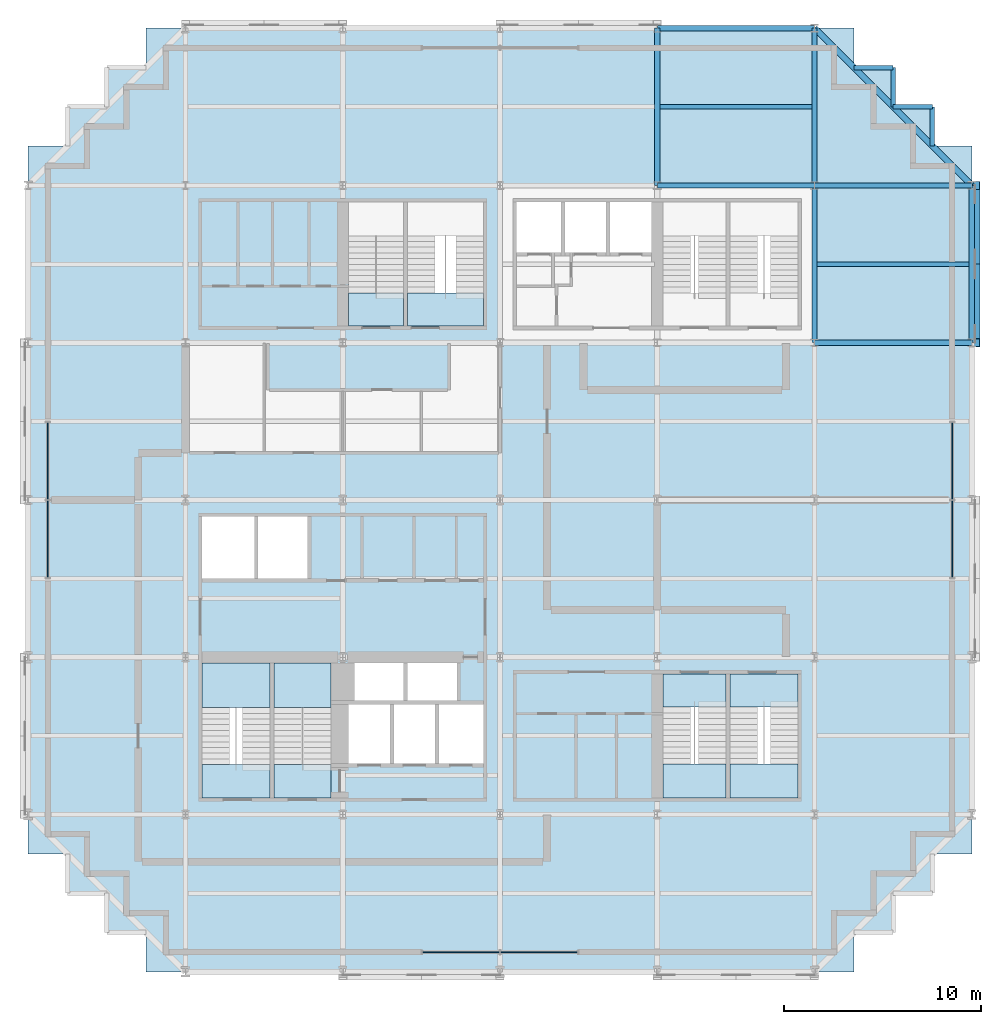
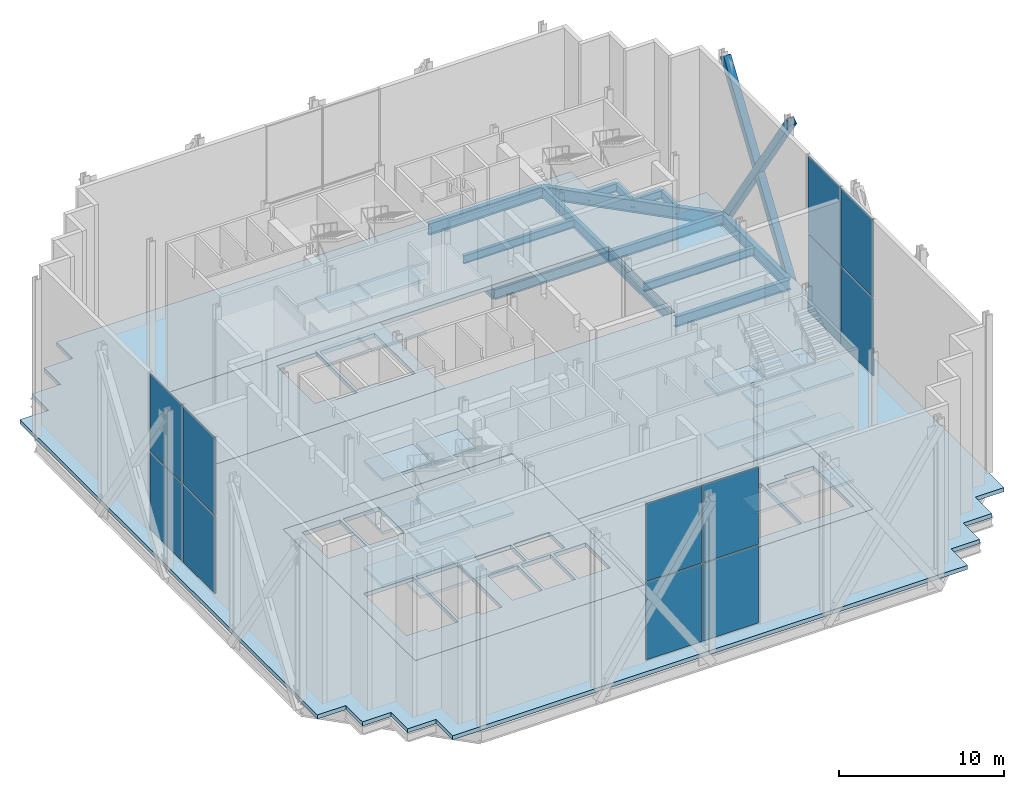
# One storey, part 6 of 14: 28 slabs, 15 beams, 12 plates, 2 members, 9 elements without a shape of their own.
"""IFC4 building model written with IfcOpenShell, lengths in metres."""

from ifc_helpers import new_model, si_unit, direction, frame, origin, origin_2d, place, context, subcontext, project, spatial, polyline, rectangle, hollow_rectangle, i_section, outline, extrude, material, layer, layer_set, material_profile, profile_set, type_object, element, aggregate, save


model = new_model("IFC4")

# Units and contexts
model_context = context("Model", 3, precision=1e-05, world=origin(), true_north=direction((0.0, 1.0)))
body_context = subcontext(model_context, "Body", "Model", "MODEL_VIEW")
ifc_project = project(units=[si_unit("LENGTHUNIT", "METRE"), si_unit("AREAUNIT", "SQUARE_METRE"), si_unit("VOLUMEUNIT", "CUBIC_METRE"), si_unit("PLANEANGLEUNIT", "RADIAN"), si_unit("MASSUNIT", "GRAM", prefix="KILO")], contexts=[model_context])

# Site, building, storey
site_placement = place(None, origin())
site = spatial("IfcSite", under=ifc_project, at=site_placement, CompositionType="ELEMENT")
building_placement = place(site_placement, origin())
building = spatial("IfcBuilding", under=site, at=building_placement, Name="Immortelle Media Tower", CompositionType="ELEMENT")
storey_placement = place(building_placement, frame((0.0, 0.0, 9.0)))
storey = spatial("IfcBuildingStorey", under=building, at=storey_placement, Name="L01", CompositionType="ELEMENT", Elevation=9.0)

# Members
ifc_material_1 = material(Name="Steel ASTM A500 Gr C", Category="steel")
ifc_material_profile_1 = material_profile(ifc_material_1, hollow_rectangle(XDim=0.508056640625, YDim=0.508056640625, WallThickness=0.014892578125, at=origin_2d()), Name="HSS20x20x5/8 brace")
ifc_profile_set_1 = profile_set([ifc_material_profile_1], Name="Steel ASTM A500 Gr C")
member_type = type_object("IfcMemberType", Name="HSS20x20x5/8 brace", PredefinedType="BRACE", material=ifc_profile_set_1)
for number, where, z_axis, x_axis, name in (
    (1, (48.1640625, 32.0, -0.7294921875), (0.0, 0.554700196225, 0.832050294338), (-1.0, 0.0, 0.0), "Brace 7/E-F A"),
    (2, (48.1640625, 32.0, 11.2705078125), (0.0, 0.554700196225, -0.832050294338), (-1.0, 0.0, 0.0), "Brace 7/E-F B"),
):
    element("IfcMember", number, at=place(storey_placement, frame(where, z_axis=z_axis, x_axis=x_axis)), inside=storey, type_object=member_type, Name=name, PredefinedType="BRACE", context=body_context, shape_type="SweptSolid", body=[
        extrude(hollow_rectangle(XDim=0.508056640625, YDim=0.508056640625, WallThickness=0.014892578125, at=origin_2d()), origin(), (0.0, 0.0, 1.0), 14.422119140625),
    ])

# Beams
ifc_material_2 = material(Name="Steel ASTM A992 Gr 50", Category="steel")
ifc_material_profile_2 = material_profile(ifc_material_2, i_section(OverallWidth=0.22900390625, OverallDepth=0.612060546875, WebThickness=0.011962890625, FlangeThickness=0.02001953125, at=origin_2d()), Name="W24x84")
ifc_profile_set_2 = profile_set([ifc_material_profile_2], Name="Steel ASTM A992 Gr 50")
beam_type_1 = type_object("IfcBeamType", Name="W24x84 secondary beam", PredefinedType="JOIST", material=ifc_profile_set_2)
beam_1_placement = place(storey_placement, frame((40.133544921875, 36.0, -0.60595703125), z_axis=(1.0, 0.0, 0.0), x_axis=(0.0, 1.0, 0.0)))
element("IfcBeam", 3, at=beam_1_placement, inside=storey, type_object=beam_type_1, Name="Beam E-F/6-7", PredefinedType="JOIST", context=body_context, shape_type="SweptSolid", body=[
    extrude(i_section(OverallWidth=0.22900390625, OverallDepth=0.612060546875, WebThickness=0.011962890625, FlangeThickness=0.02001953125, at=origin_2d()), origin(), (0.0, 0.0, 1.0), 7.720458984375),
])
beam_2_placement = place(storey_placement, frame((32.133544921875, 44.0, -0.60595703125), z_axis=(1.0, 0.0, 0.0), x_axis=(0.0, 1.0, 0.0)))
element("IfcBeam", 4, at=beam_2_placement, inside=storey, type_object=beam_type_1, Name="Beam F-G/5-6", PredefinedType="JOIST", context=body_context, shape_type="SweptSolid", body=[
    extrude(i_section(OverallWidth=0.22900390625, OverallDepth=0.612060546875, WebThickness=0.011962890625, FlangeThickness=0.02001953125, at=origin_2d()), origin(), (0.0, 0.0, 1.0), 7.73291015625),
])
ifc_material_profile_3 = material_profile(ifc_material_2, i_section(OverallWidth=0.22900390625, OverallDepth=0.612060546875, WebThickness=0.011962890625, FlangeThickness=0.02001953125, at=origin_2d()), Name="W24x84")
ifc_profile_set_3 = profile_set([ifc_material_profile_3], Name="Steel ASTM A992 Gr 50")
beam_type_2 = type_object("IfcBeamType", Name="W24x84 serration edge beam", PredefinedType="SPANDREL", material=ifc_profile_set_3)
for number, where, z_axis, x_axis, name in (
    (5, (42.0, 46.0, -0.60595703125), (1.0, 0.0, 0.0), (0.0, 1.0, 0.0), "Corner edge beam 1 at 7/G"),
    (6, (44.0, 46.0, -0.60595703125), (0.0, -1.0, 0.0), (1.0, 0.0, 0.0), "Corner edge beam 2 at 7/G"),
    (7, (44.0, 44.0, -0.60595703125), (1.0, 0.0, 0.0), (0.0, 1.0, 0.0), "Corner edge beam 3 at 7/G"),
    (8, (46.0, 44.0, -0.60595703125), (0.0, -1.0, 0.0), (1.0, 0.0, 0.0), "Corner edge beam 4 at 7/G"),
):
    element("IfcBeam", number, at=place(storey_placement, frame(where, z_axis=z_axis, x_axis=x_axis)), inside=storey, type_object=beam_type_2, Name=name, PredefinedType="SPANDREL", context=body_context, shape_type="SweptSolid", body=[
        extrude(i_section(OverallWidth=0.22900390625, OverallDepth=0.612060546875, WebThickness=0.011962890625, FlangeThickness=0.02001953125, at=origin_2d()), origin(), (0.0, 0.0, 1.0), 2.0),
    ])
ifc_material_profile_4 = material_profile(ifc_material_2, i_section(OverallWidth=0.26708984375, OverallDepth=0.761962890625, WebThickness=0.013916015625, FlangeThickness=0.02197265625, at=origin_2d()), Name="W30x116")
ifc_profile_set_4 = profile_set([ifc_material_profile_4], Name="Steel ASTM A992 Gr 50")
beam_type_3 = type_object("IfcBeamType", Name="W30x116 girder", PredefinedType="BEAM", material=ifc_profile_set_4)
for number, where, z_axis, x_axis, name in (
    (9, (32.0, 40.0, -0.680908203125), (1.0, 0.0, 0.0), (0.0, 1.0, 0.0), "Girder F/5-6"),
    (10, (32.0, 40.0, -0.680908203125), (0.0, 1.0, 0.0), (-1.0, 0.0, 0.0), "Girder 5/F-G"),
    (11, (40.0, 32.0, -0.680908203125), (1.0, 0.0, 0.0), (0.0, 1.0, 0.0), "Girder E/6-7"),
    (12, (40.0, 32.0, -0.680908203125), (0.0, 1.0, 0.0), (-1.0, 0.0, 0.0), "Girder 6/E-F"),
    (13, (40.0, 40.0, -0.680908203125), (1.0, 0.0, 0.0), (0.0, 1.0, 0.0), "Girder F/6-7"),
    (14, (40.0, 40.0, -0.680908203125), (0.0, 1.0, 0.0), (-1.0, 0.0, 0.0), "Girder 6/F-G"),
):
    element("IfcBeam", number, at=place(storey_placement, frame(where, z_axis=z_axis, x_axis=x_axis)), inside=storey, type_object=beam_type_3, Name=name, PredefinedType="BEAM", context=body_context, shape_type="SweptSolid", body=[
        extrude(i_section(OverallWidth=0.26708984375, OverallDepth=0.761962890625, WebThickness=0.013916015625, FlangeThickness=0.02197265625, at=origin_2d()), origin(), (0.0, 0.0, 1.0), 8.0),
    ])
ifc_material_profile_5 = material_profile(ifc_material_2, i_section(OverallWidth=0.2919921875, OverallDepth=0.85888671875, WebThickness=0.01708984375, FlangeThickness=0.031005859375, at=origin_2d()), Name="W33x169")
ifc_profile_set_5 = profile_set([ifc_material_profile_5], Name="Steel ASTM A992 Gr 50")
beam_type_4 = type_object("IfcBeamType", Name="W33x169 perimeter girder", PredefinedType="SPANDREL", material=ifc_profile_set_5)
for number, where, z_axis, x_axis, name in (
    (15, (32.0, 48.0, -0.7294921875), (1.0, 0.0, 0.0), (0.0, 1.0, 0.0), "Girder G/5-6"),
    (16, (48.0, 32.0, -0.7294921875), (0.0, 1.0, 0.0), (-1.0, 0.0, 0.0), "Girder 7/E-F"),
):
    element("IfcBeam", number, at=place(storey_placement, frame(where, z_axis=z_axis, x_axis=x_axis)), inside=storey, type_object=beam_type_4, Name=name, PredefinedType="SPANDREL", context=body_context, shape_type="SweptSolid", body=[
        extrude(i_section(OverallWidth=0.2919921875, OverallDepth=0.85888671875, WebThickness=0.01708984375, FlangeThickness=0.031005859375, at=origin_2d()), origin(), (0.0, 0.0, 1.0), 8.0),
    ])
ifc_material_profile_6 = material_profile(ifc_material_2, i_section(OverallWidth=0.306884765625, OverallDepth=0.927001953125, WebThickness=0.01904296875, FlangeThickness=0.031982421875, at=origin_2d()), Name="W36x194")
ifc_profile_set_6 = profile_set([ifc_material_profile_6], Name="Steel ASTM A992 Gr 50")
beam_type_5 = type_object("IfcBeamType", Name="W36x194 corner girder", PredefinedType="SPANDREL", material=ifc_profile_set_6)
beam_3_placement = place(storey_placement, frame((40.0, 48.0, -0.763427734375), z_axis=(0.707106781187, -0.707106781187, 0.0), x_axis=(0.707106781187, 0.707106781187, 0.0)))
element("IfcBeam", 17, at=beam_3_placement, inside=storey, type_object=beam_type_5, Name="Corner girder at 7/G", PredefinedType="SPANDREL", context=body_context, shape_type="SweptSolid", body=[
    extrude(i_section(OverallWidth=0.306884765625, OverallDepth=0.927001953125, WebThickness=0.01904296875, FlangeThickness=0.031982421875, at=origin_2d()), origin(), (0.0, 0.0, 1.0), 11.313720703125),
])

# Slabs
ifc_material_3 = material(Name="Concrete C50/60", Category="concrete")
ifc_layer_1 = layer(ifc_material_3, 0.300048828125)
ifc_layer_set_1 = layer_set([ifc_layer_1], Name="Concrete C50/60")
slab_type_1 = type_object("IfcSlabType", Name="Core floor slab 300", PredefinedType="FLOOR", material=ifc_layer_set_1)
slab_1_placement = place(storey_placement, frame((0.0, 0.0, -0.300048828125)))
element("IfcSlab", 18, at=slab_1_placement, inside=storey, type_object=slab_type_1, Name="Core floor SW", PredefinedType="FLOOR", context=body_context, shape_type="SweptSolid", body=[
    extrude(outline(polyline([(8.0, 8.0), (24.0, 8.0), (24.0, 24.0), (8.0, 24.0), (8.0, 8.0)]), holes=[polyline([(8.85009765625, 20.0), (11.5, 20.0), (11.5, 23.14990234375), (8.85009765625, 23.14990234375), (8.85009765625, 20.0)]), polyline([(11.699951171875, 20.0), (14.199951171875, 20.0), (14.199951171875, 23.14990234375), (11.699951171875, 23.14990234375), (11.699951171875, 20.0)]), polyline([(16.60009765625, 13.800048828125), (19.10009765625, 13.800048828125), (19.10009765625, 15.699951171875), (16.60009765625, 15.699951171875), (16.60009765625, 13.800048828125)]), polyline([(19.300048828125, 13.800048828125), (21.800048828125, 13.800048828125), (21.800048828125, 15.699951171875), (19.300048828125, 15.699951171875), (19.300048828125, 13.800048828125)]), polyline([(16.300048828125, 10.60009765625), (18.39990234375, 10.60009765625), (18.39990234375, 13.60009765625), (16.300048828125, 13.60009765625), (16.300048828125, 10.60009765625)]), polyline([(18.60009765625, 10.60009765625), (20.699951171875, 10.60009765625), (20.699951171875, 13.60009765625), (18.60009765625, 13.60009765625), (18.60009765625, 10.60009765625)]), polyline([(20.89990234375, 10.60009765625), (23.14990234375, 10.60009765625), (23.14990234375, 13.60009765625), (20.89990234375, 13.60009765625), (20.89990234375, 10.60009765625)]), polyline([(8.85009765625, 15.699951171875), (12.300048828125, 15.699951171875), (12.300048828125, 10.27001953125), (10.25, 10.27001953125), (10.25, 10.56005859375), (8.85009765625, 10.56005859375), (8.85009765625, 15.699951171875)]), polyline([(12.5, 15.699951171875), (15.39990234375, 15.699951171875), (15.39990234375, 10.27001953125), (13.89990234375, 10.27001953125), (13.89990234375, 10.56005859375), (12.5, 10.56005859375), (12.5, 15.699951171875)])]), origin(), (0.0, 0.0, 1.0), 0.300048828125),
])
slab_2_placement = place(storey_placement, frame((0.0, 0.0, -0.300048828125)))
element("IfcSlab", 19, at=slab_2_placement, inside=storey, type_object=slab_type_1, Name="Core floor SE", PredefinedType="FLOOR", context=body_context, shape_type="SweptSolid", body=[
    extrude(outline(polyline([(24.0, 8.0), (40.0, 8.0), (40.0, 16.0), (24.0, 16.0), (24.0, 8.0)]), holes=[polyline([(35.5, 13.72998046875), (35.5, 8.85009765625), (32.300048828125, 8.85009765625), (32.300048828125, 13.43994140625), (33.699951171875, 13.43994140625), (33.699951171875, 13.72998046875), (35.5, 13.72998046875)]), polyline([(39.14990234375, 13.72998046875), (39.14990234375, 8.85009765625), (35.699951171875, 8.85009765625), (35.699951171875, 13.43994140625), (37.10009765625, 13.43994140625), (37.10009765625, 13.72998046875), (39.14990234375, 13.72998046875)])]), origin(), (0.0, 0.0, 1.0), 0.300048828125),
])
slab_3_placement = place(storey_placement, frame((0.0, 0.0, -0.300048828125)))
element("IfcSlab", 20, at=slab_3_placement, inside=storey, type_object=slab_type_1, Name="Core floor NW", PredefinedType="FLOOR", context=body_context, shape_type="SweptSolid", body=[
    extrude(outline(polyline([(8.0, 32.0), (24.0, 32.0), (24.0, 40.0), (8.0, 40.0), (8.0, 32.0)]), holes=[polyline([(16.300048828125, 39.14990234375), (19.10009765625, 39.14990234375), (19.10009765625, 34.27001953125), (17.699951171875, 34.27001953125), (17.699951171875, 34.56005859375), (16.300048828125, 34.56005859375), (16.300048828125, 39.14990234375)]), polyline([(19.300048828125, 39.14990234375), (23.14990234375, 39.14990234375), (23.14990234375, 34.27001953125), (20.699951171875, 34.27001953125), (20.699951171875, 34.56005859375), (19.300048828125, 34.56005859375), (19.300048828125, 39.14990234375)])]), origin(), (0.0, 0.0, 1.0), 0.300048828125),
])
ifc_layer_2 = layer(ifc_material_3, 0.300048828125)
ifc_layer_set_2 = layer_set([ifc_layer_2], Name="Concrete C50/60")
slab_type_2 = type_object("IfcSlabType", Name="Floor slab 300", PredefinedType="FLOOR", material=ifc_layer_set_2)
slab_4_placement = place(storey_placement, frame((0.0, 0.0, -0.300048828125)))
element("IfcSlab", 21, at=slab_4_placement, inside=storey, type_object=slab_type_2, Name="Floor slab L01", PredefinedType="FLOOR", context=body_context, shape_type="SweptSolid", body=[
    extrude(outline(polyline([(0.0, 42.0), (2.0, 42.0), (2.0, 44.0), (4.0, 44.0), (4.0, 46.0), (6.0, 46.0), (6.0, 48.0), (24.0, 48.0), (42.0, 48.0), (42.0, 46.0), (44.0, 46.0), (44.0, 44.0), (46.0, 44.0), (46.0, 42.0), (48.0, 42.0), (48.0, 24.0), (48.0, 6.0), (46.0, 6.0), (46.0, 4.0), (44.0, 4.0), (44.0, 2.0), (42.0, 2.0), (42.0, 0.0), (24.0, 0.0), (6.0, 0.0), (6.0, 2.0), (4.0, 2.0), (4.0, 4.0), (2.0, 4.0), (2.0, 6.0), (0.0, 6.0), (0.0, 24.0), (0.0, 42.0)]), holes=[polyline([(40.0, 16.0), (24.0, 16.0), (24.0, 24.0), (8.0, 24.0), (8.0, 8.0), (24.0, 8.0), (40.0, 8.0), (40.0, 16.0)]), polyline([(8.0, 32.0), (24.0, 32.0), (40.0, 32.0), (40.0, 40.0), (24.0, 40.0), (8.0, 40.0), (8.0, 32.0)])]), origin(), (0.0, 0.0, 1.0), 0.300048828125),
])

# Curtain wall, plates
ifc_material_4 = material(Name="Aluminium curtain wall system", Category="aluminium")
curtain_wall_type = type_object("IfcCurtainWallType", Name="Media wall curtain wall", PredefinedType="NOTDEFINED", material=ifc_material_4)
curtain_wall_1_placement = place(storey_placement, origin())
curtain_wall_1 = element("IfcCurtainWall", 22, at=curtain_wall_1_placement, inside=storey, type_object=curtain_wall_type, Name="Media wall L01 S 7-2", PredefinedType="NOTDEFINED")
ifc_material_5 = material(Name="Light-diffusing louvre panel, pale aluminium", Category="aluminium")
ifc_layer_3 = layer(ifc_material_5, 0.06005859375)
ifc_layer_set_3 = layer_set([ifc_layer_3], Name="Light-diffusing louvre panel, pale aluminium")
plate_type = type_object("IfcPlateType", Name="Louvre and light-diffusing panel 60 mm", PredefinedType="CURTAIN_PANEL", material=ifc_layer_set_3)
plate_1_placement = place(storey_placement, frame((22.02001953125, 1.0, 0.080078125), z_axis=(0.0, 0.0, 1.0), x_axis=(1.0, 0.0, 0.0)))
plate_1 = element("IfcPlate", 23, at=plate_1_placement, type_object=plate_type, Name="CW3 panel 1.1", PredefinedType="CURTAIN_PANEL", context=body_context, shape_type="SweptSolid", body=[
    extrude(rectangle(XDim=3.8798828125, YDim=0.06005859375, at=origin_2d()), origin(), (0.0, 0.0, 1.0), 5.72998046875),
])
plate_2_placement = place(storey_placement, frame((22.02001953125, 1.0, 5.889892578125), z_axis=(0.0, 0.0, 1.0), x_axis=(1.0, 0.0, 0.0)))
plate_2 = element("IfcPlate", 24, at=plate_2_placement, type_object=plate_type, Name="CW3 panel 1.2", PredefinedType="CURTAIN_PANEL", context=body_context, shape_type="SweptSolid", body=[
    extrude(rectangle(XDim=3.8798828125, YDim=0.06005859375, at=origin_2d()), origin(), (0.0, 0.0, 1.0), 5.72998046875),
])
plate_3_placement = place(storey_placement, frame((25.97998046875, 1.0, 0.080078125), z_axis=(0.0, 0.0, 1.0), x_axis=(1.0, 0.0, 0.0)))
plate_3 = element("IfcPlate", 25, at=plate_3_placement, type_object=plate_type, Name="CW3 panel 2.1", PredefinedType="CURTAIN_PANEL", context=body_context, shape_type="SweptSolid", body=[
    extrude(rectangle(XDim=3.8798828125, YDim=0.06005859375, at=origin_2d()), origin(), (0.0, 0.0, 1.0), 5.72998046875),
])
plate_4_placement = place(storey_placement, frame((25.97998046875, 1.0, 5.889892578125), z_axis=(0.0, 0.0, 1.0), x_axis=(1.0, 0.0, 0.0)))
plate_4 = element("IfcPlate", 26, at=plate_4_placement, type_object=plate_type, Name="CW3 panel 2.2", PredefinedType="CURTAIN_PANEL", context=body_context, shape_type="SweptSolid", body=[
    extrude(rectangle(XDim=3.8798828125, YDim=0.06005859375, at=origin_2d()), origin(), (0.0, 0.0, 1.0), 5.72998046875),
])
aggregate(curtain_wall_1, [plate_1, plate_2, plate_3, plate_4])

curtain_wall_2_placement = place(storey_placement, origin())
curtain_wall_2 = element("IfcCurtainWall", 27, at=curtain_wall_2_placement, inside=storey, type_object=curtain_wall_type, Name="Media wall L01 E 14-2", PredefinedType="NOTDEFINED")
plate_5_placement = place(storey_placement, frame((47.0, 22.02001953125, 0.080078125), z_axis=(0.0, 0.0, 1.0), x_axis=(0.0, 1.0, 0.0)))
plate_5 = element("IfcPlate", 28, at=plate_5_placement, type_object=plate_type, Name="CW3 panel 1.1", PredefinedType="CURTAIN_PANEL", context=body_context, shape_type="SweptSolid", body=[
    extrude(rectangle(XDim=3.8798828125, YDim=0.06005859375, at=origin_2d()), origin(), (0.0, 0.0, 1.0), 5.72998046875),
])
plate_6_placement = place(storey_placement, frame((47.0, 22.02001953125, 5.889892578125), z_axis=(0.0, 0.0, 1.0), x_axis=(0.0, 1.0, 0.0)))
plate_6 = element("IfcPlate", 29, at=plate_6_placement, type_object=plate_type, Name="CW3 panel 1.2", PredefinedType="CURTAIN_PANEL", context=body_context, shape_type="SweptSolid", body=[
    extrude(rectangle(XDim=3.8798828125, YDim=0.06005859375, at=origin_2d()), origin(), (0.0, 0.0, 1.0), 5.72998046875),
])
plate_7_placement = place(storey_placement, frame((47.0, 25.97998046875, 0.080078125), z_axis=(0.0, 0.0, 1.0), x_axis=(0.0, 1.0, 0.0)))
plate_7 = element("IfcPlate", 30, at=plate_7_placement, type_object=plate_type, Name="CW3 panel 2.1", PredefinedType="CURTAIN_PANEL", context=body_context, shape_type="SweptSolid", body=[
    extrude(rectangle(XDim=3.8798828125, YDim=0.06005859375, at=origin_2d()), origin(), (0.0, 0.0, 1.0), 5.72998046875),
])
plate_8_placement = place(storey_placement, frame((47.0, 25.97998046875, 5.889892578125), z_axis=(0.0, 0.0, 1.0), x_axis=(0.0, 1.0, 0.0)))
plate_8 = element("IfcPlate", 31, at=plate_8_placement, type_object=plate_type, Name="CW3 panel 2.2", PredefinedType="CURTAIN_PANEL", context=body_context, shape_type="SweptSolid", body=[
    extrude(rectangle(XDim=3.8798828125, YDim=0.06005859375, at=origin_2d()), origin(), (0.0, 0.0, 1.0), 5.72998046875),
])
aggregate(curtain_wall_2, [plate_5, plate_6, plate_7, plate_8])

curtain_wall_3_placement = place(storey_placement, origin())
curtain_wall_3 = element("IfcCurtainWall", 32, at=curtain_wall_3_placement, inside=storey, type_object=curtain_wall_type, Name="Media wall L01 W 28-2", PredefinedType="NOTDEFINED")
plate_9_placement = place(storey_placement, frame((1.0, 25.97998046875, 0.080078125), z_axis=(0.0, 0.0, 1.0), x_axis=(0.0, -1.0, 0.0)))
plate_9 = element("IfcPlate", 33, at=plate_9_placement, type_object=plate_type, Name="CW3 panel 1.1", PredefinedType="CURTAIN_PANEL", context=body_context, shape_type="SweptSolid", body=[
    extrude(rectangle(XDim=3.8798828125, YDim=0.06005859375, at=origin_2d()), origin(), (0.0, 0.0, 1.0), 5.72998046875),
])
plate_10_placement = place(storey_placement, frame((1.0, 25.97998046875, 5.889892578125), z_axis=(0.0, 0.0, 1.0), x_axis=(0.0, -1.0, 0.0)))
plate_10 = element("IfcPlate", 34, at=plate_10_placement, type_object=plate_type, Name="CW3 panel 1.2", PredefinedType="CURTAIN_PANEL", context=body_context, shape_type="SweptSolid", body=[
    extrude(rectangle(XDim=3.8798828125, YDim=0.06005859375, at=origin_2d()), origin(), (0.0, 0.0, 1.0), 5.72998046875),
])
plate_11_placement = place(storey_placement, frame((1.0, 22.02001953125, 0.080078125), z_axis=(0.0, 0.0, 1.0), x_axis=(0.0, -1.0, 0.0)))
plate_11 = element("IfcPlate", 35, at=plate_11_placement, type_object=plate_type, Name="CW3 panel 2.1", PredefinedType="CURTAIN_PANEL", context=body_context, shape_type="SweptSolid", body=[
    extrude(rectangle(XDim=3.8798828125, YDim=0.06005859375, at=origin_2d()), origin(), (0.0, 0.0, 1.0), 5.72998046875),
])
plate_12_placement = place(storey_placement, frame((1.0, 22.02001953125, 5.889892578125), z_axis=(0.0, 0.0, 1.0), x_axis=(0.0, -1.0, 0.0)))
plate_12 = element("IfcPlate", 36, at=plate_12_placement, type_object=plate_type, Name="CW3 panel 2.2", PredefinedType="CURTAIN_PANEL", context=body_context, shape_type="SweptSolid", body=[
    extrude(rectangle(XDim=3.8798828125, YDim=0.06005859375, at=origin_2d()), origin(), (0.0, 0.0, 1.0), 5.72998046875),
])
aggregate(curtain_wall_3, [plate_9, plate_10, plate_11, plate_12])

# Stair, slabs
stair_type = type_object("IfcStairType", Name="Stair with flights", PredefinedType="DOUBLE_RETURN_STAIR", material=ifc_material_2)
stair_1_placement = place(storey_placement, origin())
stair_1 = element("IfcStair", 37, at=stair_1_placement, inside=storey, type_object=stair_type, Name="Exit stair SW1", PredefinedType="DOUBLE_RETURN_STAIR")
ifc_material_6 = material(Name="Steel ASTM A572 Gr 50", Category="steel")
ifc_layer_4 = layer(ifc_material_6, 0.199951171875)
ifc_layer_set_4 = layer_set([ifc_layer_4], Name="Steel ASTM A572 Gr 50")
slab_type_3 = type_object("IfcSlabType", Name="Stair landing 200", PredefinedType="LANDING", material=ifc_layer_set_4)
slab_5_placement = place(storey_placement, frame((0.0, 0.0, 1.770263671875)))
slab_5 = element("IfcSlab", 38, at=slab_5_placement, type_object=slab_type_3, Name="ST SW1 landing 1", PredefinedType="LANDING", context=body_context, shape_type="SweptSolid", body=[
    extrude(outline(polyline([(8.85009765625, 13.43994140625), (12.300048828125, 13.43994140625), (12.300048828125, 15.699951171875), (8.85009765625, 15.699951171875), (8.85009765625, 13.43994140625)])), origin(), (0.0, 0.0, 1.0), 0.199951171875),
])
slab_6_placement = place(storey_placement, frame((0.0, 0.0, 3.740234375)))
slab_6 = element("IfcSlab", 39, at=slab_6_placement, type_object=slab_type_3, Name="ST SW1 landing 2", PredefinedType="LANDING", context=body_context, shape_type="SweptSolid", body=[
    extrude(outline(polyline([(8.85009765625, 8.85009765625), (12.300048828125, 8.85009765625), (12.300048828125, 10.5400390625), (8.85009765625, 10.5400390625), (8.85009765625, 8.85009765625)])), origin(), (0.0, 0.0, 1.0), 0.199951171875),
])
slab_7_placement = place(storey_placement, frame((0.0, 0.0, 5.71044921875)))
slab_7 = element("IfcSlab", 40, at=slab_7_placement, type_object=slab_type_3, Name="ST SW1 landing 3", PredefinedType="LANDING", context=body_context, shape_type="SweptSolid", body=[
    extrude(outline(polyline([(8.85009765625, 13.43994140625), (12.300048828125, 13.43994140625), (12.300048828125, 15.699951171875), (8.85009765625, 15.699951171875), (8.85009765625, 13.43994140625)])), origin(), (0.0, 0.0, 1.0), 0.199951171875),
])
slab_8_placement = place(storey_placement, frame((0.0, 0.0, 7.6806640625)))
slab_8 = element("IfcSlab", 41, at=slab_8_placement, type_object=slab_type_3, Name="ST SW1 landing 4", PredefinedType="LANDING", context=body_context, shape_type="SweptSolid", body=[
    extrude(outline(polyline([(8.85009765625, 8.85009765625), (12.300048828125, 8.85009765625), (12.300048828125, 10.5400390625), (8.85009765625, 10.5400390625), (8.85009765625, 8.85009765625)])), origin(), (0.0, 0.0, 1.0), 0.199951171875),
])
slab_9_placement = place(storey_placement, frame((0.0, 0.0, 9.650634765625)))
slab_9 = element("IfcSlab", 42, at=slab_9_placement, type_object=slab_type_3, Name="ST SW1 landing 5", PredefinedType="LANDING", context=body_context, shape_type="SweptSolid", body=[
    extrude(outline(polyline([(8.85009765625, 13.43994140625), (12.300048828125, 13.43994140625), (12.300048828125, 15.699951171875), (8.85009765625, 15.699951171875), (8.85009765625, 13.43994140625)])), origin(), (0.0, 0.0, 1.0), 0.2001953125),
])
aggregate(stair_1, [slab_5, slab_6, slab_7, slab_8, slab_9])

stair_2_placement = place(storey_placement, origin())
stair_2 = element("IfcStair", 43, at=stair_2_placement, inside=storey, type_object=stair_type, Name="Exit stair SW2", PredefinedType="DOUBLE_RETURN_STAIR")
slab_10_placement = place(storey_placement, frame((0.0, 0.0, 1.770263671875)))
slab_10 = element("IfcSlab", 44, at=slab_10_placement, type_object=slab_type_3, Name="ST SW2 landing 1", PredefinedType="LANDING", context=body_context, shape_type="SweptSolid", body=[
    extrude(outline(polyline([(12.5, 13.43994140625), (15.39990234375, 13.43994140625), (15.39990234375, 15.699951171875), (12.5, 15.699951171875), (12.5, 13.43994140625)])), origin(), (0.0, 0.0, 1.0), 0.199951171875),
])
slab_11_placement = place(storey_placement, frame((0.0, 0.0, 3.740234375)))
slab_11 = element("IfcSlab", 45, at=slab_11_placement, type_object=slab_type_3, Name="ST SW2 landing 2", PredefinedType="LANDING", context=body_context, shape_type="SweptSolid", body=[
    extrude(outline(polyline([(12.5, 8.85009765625), (15.39990234375, 8.85009765625), (15.39990234375, 10.5400390625), (12.5, 10.5400390625), (12.5, 8.85009765625)])), origin(), (0.0, 0.0, 1.0), 0.199951171875),
])
slab_12_placement = place(storey_placement, frame((0.0, 0.0, 5.71044921875)))
slab_12 = element("IfcSlab", 46, at=slab_12_placement, type_object=slab_type_3, Name="ST SW2 landing 3", PredefinedType="LANDING", context=body_context, shape_type="SweptSolid", body=[
    extrude(outline(polyline([(12.5, 13.43994140625), (15.39990234375, 13.43994140625), (15.39990234375, 15.699951171875), (12.5, 15.699951171875), (12.5, 13.43994140625)])), origin(), (0.0, 0.0, 1.0), 0.199951171875),
])
slab_13_placement = place(storey_placement, frame((0.0, 0.0, 7.6806640625)))
slab_13 = element("IfcSlab", 47, at=slab_13_placement, type_object=slab_type_3, Name="ST SW2 landing 4", PredefinedType="LANDING", context=body_context, shape_type="SweptSolid", body=[
    extrude(outline(polyline([(12.5, 8.85009765625), (15.39990234375, 8.85009765625), (15.39990234375, 10.5400390625), (12.5, 10.5400390625), (12.5, 8.85009765625)])), origin(), (0.0, 0.0, 1.0), 0.199951171875),
])
slab_14_placement = place(storey_placement, frame((0.0, 0.0, 9.650634765625)))
slab_14 = element("IfcSlab", 48, at=slab_14_placement, type_object=slab_type_3, Name="ST SW2 landing 5", PredefinedType="LANDING", context=body_context, shape_type="SweptSolid", body=[
    extrude(outline(polyline([(12.5, 13.43994140625), (15.39990234375, 13.43994140625), (15.39990234375, 15.699951171875), (12.5, 15.699951171875), (12.5, 13.43994140625)])), origin(), (0.0, 0.0, 1.0), 0.2001953125),
])
aggregate(stair_2, [slab_10, slab_11, slab_12, slab_13, slab_14])

stair_3_placement = place(storey_placement, origin())
stair_3 = element("IfcStair", 49, at=stair_3_placement, inside=storey, type_object=stair_type, Name="Exit stair SE1", PredefinedType="DOUBLE_RETURN_STAIR")
slab_15_placement = place(storey_placement, frame((0.0, 0.0, 1.770263671875)))
slab_15 = element("IfcSlab", 50, at=slab_15_placement, type_object=slab_type_3, Name="ST SE1 landing 1", PredefinedType="LANDING", context=body_context, shape_type="SweptSolid", body=[
    extrude(outline(polyline([(32.300048828125, 8.85009765625), (35.5, 8.85009765625), (35.5, 10.56005859375), (32.300048828125, 10.56005859375), (32.300048828125, 8.85009765625)])), origin(), (0.0, 0.0, 1.0), 0.199951171875),
])
slab_16_placement = place(storey_placement, frame((0.0, 0.0, 3.740234375)))
slab_16 = element("IfcSlab", 51, at=slab_16_placement, type_object=slab_type_3, Name="ST SE1 landing 2", PredefinedType="LANDING", context=body_context, shape_type="SweptSolid", body=[
    extrude(outline(polyline([(32.300048828125, 13.4599609375), (35.5, 13.4599609375), (35.5, 15.14990234375), (32.300048828125, 15.14990234375), (32.300048828125, 13.4599609375)])), origin(), (0.0, 0.0, 1.0), 0.199951171875),
])
slab_17_placement = place(storey_placement, frame((0.0, 0.0, 5.71044921875)))
slab_17 = element("IfcSlab", 52, at=slab_17_placement, type_object=slab_type_3, Name="ST SE1 landing 3", PredefinedType="LANDING", context=body_context, shape_type="SweptSolid", body=[
    extrude(outline(polyline([(32.300048828125, 8.85009765625), (35.5, 8.85009765625), (35.5, 10.56005859375), (32.300048828125, 10.56005859375), (32.300048828125, 8.85009765625)])), origin(), (0.0, 0.0, 1.0), 0.199951171875),
])
slab_18_placement = place(storey_placement, frame((0.0, 0.0, 7.6806640625)))
slab_18 = element("IfcSlab", 53, at=slab_18_placement, type_object=slab_type_3, Name="ST SE1 landing 4", PredefinedType="LANDING", context=body_context, shape_type="SweptSolid", body=[
    extrude(outline(polyline([(32.300048828125, 13.4599609375), (35.5, 13.4599609375), (35.5, 15.14990234375), (32.300048828125, 15.14990234375), (32.300048828125, 13.4599609375)])), origin(), (0.0, 0.0, 1.0), 0.199951171875),
])
slab_19_placement = place(storey_placement, frame((0.0, 0.0, 9.650634765625)))
slab_19 = element("IfcSlab", 54, at=slab_19_placement, type_object=slab_type_3, Name="ST SE1 landing 5", PredefinedType="LANDING", context=body_context, shape_type="SweptSolid", body=[
    extrude(outline(polyline([(32.300048828125, 8.85009765625), (35.5, 8.85009765625), (35.5, 10.56005859375), (32.300048828125, 10.56005859375), (32.300048828125, 8.85009765625)])), origin(), (0.0, 0.0, 1.0), 0.2001953125),
])
aggregate(stair_3, [slab_15, slab_16, slab_17, slab_18, slab_19])

stair_4_placement = place(storey_placement, origin())
stair_4 = element("IfcStair", 55, at=stair_4_placement, inside=storey, type_object=stair_type, Name="Exit stair SE2", PredefinedType="DOUBLE_RETURN_STAIR")
slab_20_placement = place(storey_placement, frame((0.0, 0.0, 1.770263671875)))
slab_20 = element("IfcSlab", 56, at=slab_20_placement, type_object=slab_type_3, Name="ST SE2 landing 1", PredefinedType="LANDING", context=body_context, shape_type="SweptSolid", body=[
    extrude(outline(polyline([(35.699951171875, 8.85009765625), (39.14990234375, 8.85009765625), (39.14990234375, 10.56005859375), (35.699951171875, 10.56005859375), (35.699951171875, 8.85009765625)])), origin(), (0.0, 0.0, 1.0), 0.199951171875),
])
slab_21_placement = place(storey_placement, frame((0.0, 0.0, 3.740234375)))
slab_21 = element("IfcSlab", 57, at=slab_21_placement, type_object=slab_type_3, Name="ST SE2 landing 2", PredefinedType="LANDING", context=body_context, shape_type="SweptSolid", body=[
    extrude(outline(polyline([(35.699951171875, 13.4599609375), (39.14990234375, 13.4599609375), (39.14990234375, 15.14990234375), (35.699951171875, 15.14990234375), (35.699951171875, 13.4599609375)])), origin(), (0.0, 0.0, 1.0), 0.199951171875),
])
slab_22_placement = place(storey_placement, frame((0.0, 0.0, 5.71044921875)))
slab_22 = element("IfcSlab", 58, at=slab_22_placement, type_object=slab_type_3, Name="ST SE2 landing 3", PredefinedType="LANDING", context=body_context, shape_type="SweptSolid", body=[
    extrude(outline(polyline([(35.699951171875, 8.85009765625), (39.14990234375, 8.85009765625), (39.14990234375, 10.56005859375), (35.699951171875, 10.56005859375), (35.699951171875, 8.85009765625)])), origin(), (0.0, 0.0, 1.0), 0.199951171875),
])
slab_23_placement = place(storey_placement, frame((0.0, 0.0, 7.6806640625)))
slab_23 = element("IfcSlab", 59, at=slab_23_placement, type_object=slab_type_3, Name="ST SE2 landing 4", PredefinedType="LANDING", context=body_context, shape_type="SweptSolid", body=[
    extrude(outline(polyline([(35.699951171875, 13.4599609375), (39.14990234375, 13.4599609375), (39.14990234375, 15.14990234375), (35.699951171875, 15.14990234375), (35.699951171875, 13.4599609375)])), origin(), (0.0, 0.0, 1.0), 0.199951171875),
])
slab_24_placement = place(storey_placement, frame((0.0, 0.0, 9.650634765625)))
slab_24 = element("IfcSlab", 60, at=slab_24_placement, type_object=slab_type_3, Name="ST SE2 landing 5", PredefinedType="LANDING", context=body_context, shape_type="SweptSolid", body=[
    extrude(outline(polyline([(35.699951171875, 8.85009765625), (39.14990234375, 8.85009765625), (39.14990234375, 10.56005859375), (35.699951171875, 10.56005859375), (35.699951171875, 8.85009765625)])), origin(), (0.0, 0.0, 1.0), 0.2001953125),
])
aggregate(stair_4, [slab_20, slab_21, slab_22, slab_23, slab_24])

stair_5_placement = place(storey_placement, origin())
stair_5 = element("IfcStair", 61, at=stair_5_placement, inside=storey, type_object=stair_type, Name="Exit stair NW1", PredefinedType="DOUBLE_RETURN_STAIR")
slab_25_placement = place(storey_placement, frame((0.0, 0.0, 3.740234375)))
slab_25 = element("IfcSlab", 62, at=slab_25_placement, type_object=slab_type_3, Name="ST NW1 landing 2", PredefinedType="LANDING", context=body_context, shape_type="SweptSolid", body=[
    extrude(outline(polyline([(16.300048828125, 32.85009765625), (19.10009765625, 32.85009765625), (19.10009765625, 34.5400390625), (16.300048828125, 34.5400390625), (16.300048828125, 32.85009765625)])), origin(), (0.0, 0.0, 1.0), 0.199951171875),
])
slab_26_placement = place(storey_placement, frame((0.0, 0.0, 7.6806640625)))
slab_26 = element("IfcSlab", 63, at=slab_26_placement, type_object=slab_type_3, Name="ST NW1 landing 4", PredefinedType="LANDING", context=body_context, shape_type="SweptSolid", body=[
    extrude(outline(polyline([(16.300048828125, 32.85009765625), (19.10009765625, 32.85009765625), (19.10009765625, 34.5400390625), (16.300048828125, 34.5400390625), (16.300048828125, 32.85009765625)])), origin(), (0.0, 0.0, 1.0), 0.199951171875),
])
aggregate(stair_5, [slab_25, slab_26])

stair_6_placement = place(storey_placement, origin())
stair_6 = element("IfcStair", 64, at=stair_6_placement, inside=storey, type_object=stair_type, Name="Exit stair NW2", PredefinedType="DOUBLE_RETURN_STAIR")
slab_27_placement = place(storey_placement, frame((0.0, 0.0, 3.740234375)))
slab_27 = element("IfcSlab", 65, at=slab_27_placement, type_object=slab_type_3, Name="ST NW2 landing 2", PredefinedType="LANDING", context=body_context, shape_type="SweptSolid", body=[
    extrude(outline(polyline([(19.300048828125, 32.85009765625), (23.14990234375, 32.85009765625), (23.14990234375, 34.5400390625), (19.300048828125, 34.5400390625), (19.300048828125, 32.85009765625)])), origin(), (0.0, 0.0, 1.0), 0.199951171875),
])
slab_28_placement = place(storey_placement, frame((0.0, 0.0, 7.6806640625)))
slab_28 = element("IfcSlab", 66, at=slab_28_placement, type_object=slab_type_3, Name="ST NW2 landing 4", PredefinedType="LANDING", context=body_context, shape_type="SweptSolid", body=[
    extrude(outline(polyline([(19.300048828125, 32.85009765625), (23.14990234375, 32.85009765625), (23.14990234375, 34.5400390625), (19.300048828125, 34.5400390625), (19.300048828125, 32.85009765625)])), origin(), (0.0, 0.0, 1.0), 0.199951171875),
])
aggregate(stair_6, [slab_27, slab_28])

save(model, "model.ifc")
